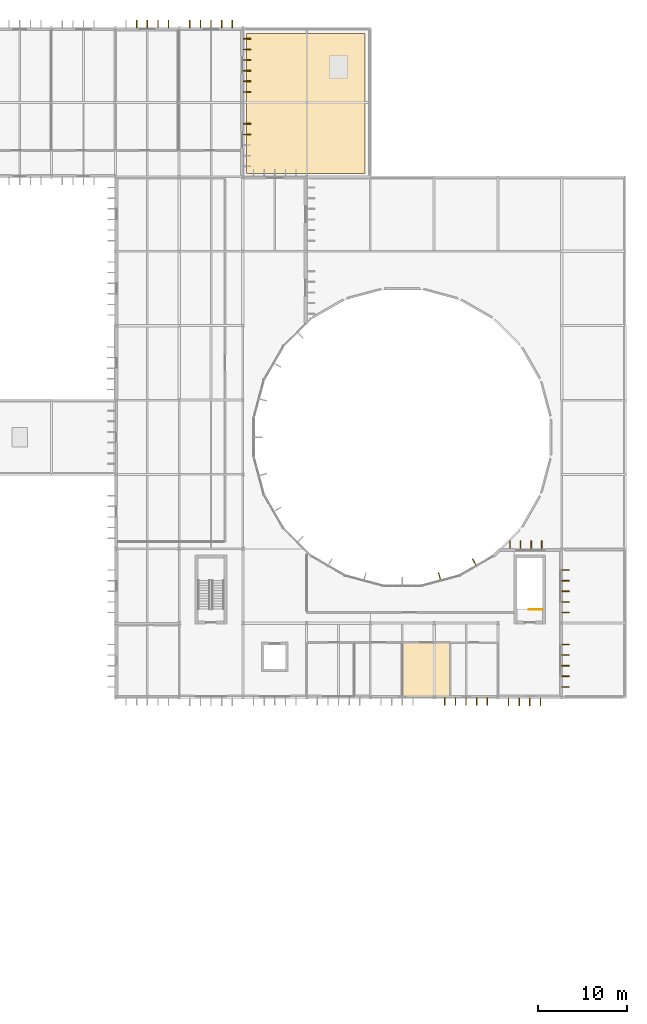
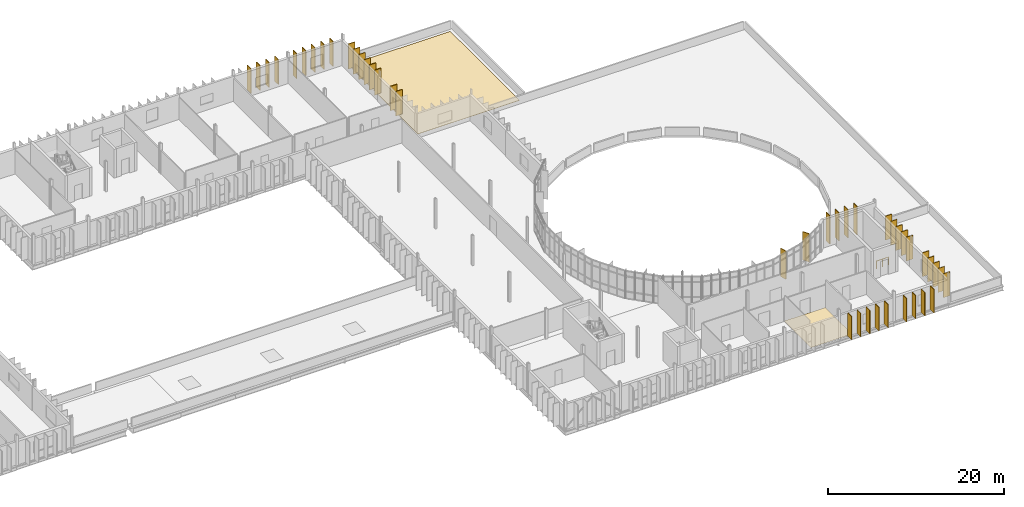
# One storey, part 61 of 61: 42 shading devices, 2 coverings, 1 railing.
"""IFC4 building model written with IfcOpenShell, lengths in metres."""

from ifc_helpers import new_model, si_unit, direction, frame, origin, origin_2d, place, context, subcontext, project, spatial, polyline, rectangle, circle, outline, extrude, material, layer, layer_set, type_object, element, save


model = new_model("IFC4")

# Units and contexts
model_context = context("Model", 3, precision=1e-05, world=origin(), true_north=direction((0.0, 1.0)))
body_context = subcontext(model_context, "Body", "Model", "MODEL_VIEW")
ifc_project = project(units=[si_unit("LENGTHUNIT", "METRE"), si_unit("AREAUNIT", "SQUARE_METRE"), si_unit("VOLUMEUNIT", "CUBIC_METRE"), si_unit("PLANEANGLEUNIT", "RADIAN"), si_unit("MASSUNIT", "GRAM", prefix="KILO")], contexts=[model_context])

# Site, building, storey
site_placement = place(None, origin())
site = spatial("IfcSite", under=ifc_project, at=site_placement, CompositionType="ELEMENT")
building_placement = place(site_placement, origin())
building = spatial("IfcBuilding", under=site, at=building_placement, Name="Qelthora Terrace Specialist Clinic", CompositionType="ELEMENT")
storey_placement = place(building_placement, frame((0.0, 0.0, 13.199951171875)))
storey = spatial("IfcBuildingStorey", under=building, at=storey_placement, Name="L03", CompositionType="ELEMENT", Elevation=13.199951171875)

# Coverings
ifc_material_1 = material(Name="Antimicrobial clinical linoleum flooring", Category="other")
ifc_layer_1 = layer(ifc_material_1, 0.011962890625)
ifc_layer_set_1 = layer_set([ifc_layer_1], Name="Antimicrobial clinical linoleum flooring")
covering_type_1 = type_object("IfcCoveringType", Name="COV-FLR-LINO-12", PredefinedType="FLOORING", material=ifc_layer_set_1)
covering_1_placement = place(storey_placement, origin())
element("IfcCovering", 1, at=covering_1_placement, inside=storey, type_object=covering_type_1, Name="Ophthalmology Slit-Lamp Exam L03-33 resilient linoleum flooring", PredefinedType="FLOORING", context=body_context, shape_type="SweptSolid", body=[
    extrude(outline(polyline([(126.0048828125, 39.800048828125), (131.39990234375, 39.800048828125), (131.39990234375, 33.72998046875), (126.0048828125, 33.72998046875), (126.0048828125, 39.800048828125)])), origin(), (0.0, 0.0, 1.0), 0.011962890625),
])
ifc_material_2 = material(Name="Standing-seam titanium-zinc", Category="metals")
ifc_layer_2 = layer(ifc_material_2, 0.0400390625)
ifc_layer_set_2 = layer_set([ifc_layer_2], Name="Standing-seam titanium-zinc")
covering_type_2 = type_object("IfcCoveringType", Name="COV-ROOF-ZINC", PredefinedType="ROOFING", material=ifc_layer_set_2)
covering_2_placement = place(storey_placement, origin())
element("IfcCovering", 2, at=covering_2_placement, inside=storey, type_object=covering_type_2, Name="Standing-seam zinc roof covering RCOV-L03-04", PredefinedType="ROOFING", context=body_context, shape_type="SweptSolid", body=[
    extrude(outline(polyline([(108.39990234375, 92.800048828125), (121.800048828125, 92.800048828125), (121.800048828125, 108.60009765625), (108.39990234375, 108.60009765625), (108.39990234375, 92.800048828125)])), origin(), (0.0, 0.0, 1.0), 0.0400390625),
])

# Railing
ifc_material_3 = material(Name="Steel S355", Category="steel")
railing_type = type_object("IfcRailingType", Name="RAL-GD-1100-S355", PredefinedType="GUARDRAIL", material=ifc_material_3)
railing_placement = place(storey_placement, frame((141.85009765625, 43.550048828125, 0.0)))
element("IfcRailing", 3, at=railing_placement, inside=storey, type_object=railing_type, Name="L03 ST-06 top well guard 1", PredefinedType="GUARDRAIL", context=body_context, shape_type="SweptSolid", body=[
    extrude(circle(Radius=0.02392578125, at=origin_2d()), frame((0.0, 0.0, 1.076171875), z_axis=(-1.0, 0.0, 0.0), x_axis=(0.0, -1.0, 0.0)), (0.0, 0.0, 1.0), 1.550048828125),
    extrude(circle(Radius=0.02099609375, at=origin_2d()), origin(), (0.0, 0.0, 1.0), 1.052001953125),
    extrude(circle(Radius=0.02099609375, at=origin_2d()), frame((-0.77490234375, 0.0, 0.0)), (0.0, 0.0, 1.0), 1.052001953125),
    extrude(circle(Radius=0.02099609375, at=origin_2d()), frame((-1.550048828125, 0.0, 0.0)), (0.0, 0.0, 1.0), 1.052001953125),
])

# Shading devices
ifc_material_4 = material(Name="Glulam timber GL28h", Category="wood")
shading_device_type = type_object("IfcShadingDeviceType", Name="SHD-FIN-850", PredefinedType="USERDEFINED", material=ifc_material_4)
for number, where, z_axis, x_axis, name in (
    (4, (130.208740234375, 47.292724609375, 0.0), (0.0, 0.0, 1.0), (-0.258819045103, 0.965925826289, 0.0), "Court solar fin FIN-0081"),
    (5, (134.130615234375, 48.917236328125, 0.0), (0.0, 0.0, 1.0), (-0.5, 0.866025403784, 0.0), "Court solar fin FIN-0082"),
):
    element("IfcShadingDevice", number, at=place(storey_placement, frame(where, z_axis=z_axis, x_axis=x_axis)), inside=storey, type_object=shading_device_type, Name=name, ObjectType="FIN", PredefinedType="USERDEFINED", context=body_context, shape_type="SweptSolid", body=[
        extrude(rectangle(XDim=0.85009765625, YDim=0.080078125, at=origin_2d()), origin(), (0.0, 0.0, 1.0), 3.945068359375),
    ])
for number, where, z_axis, x_axis, name in (
    (6, (138.155517578125, 50.864990234375, 0.0), (0.0, 0.0, 1.0), (0.0, 1.0, 0.0), "Exterior solar shading fin FIN-1453"),
    (7, (139.35546875, 50.864990234375, 0.0), (0.0, 0.0, 1.0), (0.0, 1.0, 0.0), "Exterior solar shading fin FIN-1454"),
    (8, (140.555419921875, 50.864990234375, 0.0), (0.0, 0.0, 1.0), (0.0, 1.0, 0.0), "Exterior solar shading fin FIN-1455"),
    (9, (141.755615234375, 50.864990234375, 0.0), (0.0, 0.0, 1.0), (0.0, 1.0, 0.0), "Exterior solar shading fin FIN-1456"),
):
    element("IfcShadingDevice", number, at=place(storey_placement, frame(where, z_axis=z_axis, x_axis=x_axis)), inside=storey, type_object=shading_device_type, Name=name, ObjectType="FIN", PredefinedType="USERDEFINED", context=body_context, shape_type="SweptSolid", body=[
        extrude(rectangle(XDim=0.85009765625, YDim=0.080078125, at=origin_2d()), origin(), (0.0, 0.0, 1.0), 3.93994140625),
    ])
for number, where, z_axis, x_axis, name in (
    (10, (144.455078125, 34.800048828125, 0.0), (0.0, 0.0, 1.0), (1.0, 0.0, 0.0), "Exterior solar shading fin FIN-1457"),
    (11, (144.455078125, 36.0, 0.0), (0.0, 0.0, 1.0), (1.0, 0.0, 0.0), "Exterior solar shading fin FIN-1458"),
    (12, (144.455078125, 37.199951171875, 0.0), (0.0, 0.0, 1.0), (1.0, 0.0, 0.0), "Exterior solar shading fin FIN-1459"),
    (13, (144.455078125, 38.39990234375, 0.0), (0.0, 0.0, 1.0), (1.0, 0.0, 0.0), "Exterior solar shading fin FIN-1460"),
    (14, (144.455078125, 39.60009765625, 0.0), (0.0, 0.0, 1.0), (1.0, 0.0, 0.0), "Exterior solar shading fin FIN-1461"),
    (15, (144.445068359375, 43.199951171875, 0.0), (0.0, 0.0, 1.0), (1.0, 0.0, 0.0), "Exterior solar shading fin FIN-1462"),
    (16, (144.445068359375, 44.39990234375, 0.0), (0.0, 0.0, 1.0), (1.0, 0.0, 0.0), "Exterior solar shading fin FIN-1463"),
    (17, (144.445068359375, 45.60009765625, 0.0), (0.0, 0.0, 1.0), (1.0, 0.0, 0.0), "Exterior solar shading fin FIN-1464"),
    (18, (144.445068359375, 46.800048828125, 0.0), (0.0, 0.0, 1.0), (1.0, 0.0, 0.0), "Exterior solar shading fin FIN-1465"),
    (19, (144.445068359375, 48.0, 0.0), (0.0, 0.0, 1.0), (1.0, 0.0, 0.0), "Exterior solar shading fin FIN-1466"),
):
    element("IfcShadingDevice", number, at=place(storey_placement, frame(where, z_axis=z_axis, x_axis=x_axis)), inside=storey, type_object=shading_device_type, Name=name, ObjectType="FIN", PredefinedType="USERDEFINED", context=body_context, shape_type="SweptSolid", body=[
        extrude(rectangle(XDim=0.85009765625, YDim=0.080078125, at=origin_2d()), origin(), (0.0, 0.0, 1.0), 3.324951171875),
    ])
for number, where, z_axis, x_axis, name in (
    (20, (130.800048828125, 33.1650390625, 0.0), (0.0, 0.0, 1.0), (0.0, -1.0, 0.0), "Exterior solar shading fin FIN-1491"),
    (21, (132.0, 33.1650390625, 0.0), (0.0, 0.0, 1.0), (0.0, -1.0, 0.0), "Exterior solar shading fin FIN-1492"),
    (22, (133.199951171875, 33.1650390625, 0.0), (0.0, 0.0, 1.0), (0.0, -1.0, 0.0), "Exterior solar shading fin FIN-1493"),
    (23, (134.39990234375, 33.1650390625, 0.0), (0.0, 0.0, 1.0), (0.0, -1.0, 0.0), "Exterior solar shading fin FIN-1494"),
    (24, (135.60009765625, 33.1650390625, 0.0), (0.0, 0.0, 1.0), (0.0, -1.0, 0.0), "Exterior solar shading fin FIN-1495"),
):
    element("IfcShadingDevice", number, at=place(storey_placement, frame(where, z_axis=z_axis, x_axis=x_axis)), inside=storey, type_object=shading_device_type, Name=name, ObjectType="FIN", PredefinedType="USERDEFINED", context=body_context, shape_type="SweptSolid", body=[
        extrude(rectangle(XDim=0.85009765625, YDim=0.080078125, at=origin_2d()), origin(), (0.0, 0.0, 1.0), 3.2490234375),
    ])
for number, where, z_axis, x_axis, name in (
    (25, (138.0, 33.10498046875, 0.0), (0.0, 0.0, 1.0), (0.0, -1.0, 0.0), "Exterior solar shading fin FIN-1496"),
    (26, (139.199951171875, 33.10498046875, 0.0), (0.0, 0.0, 1.0), (0.0, -1.0, 0.0), "Exterior solar shading fin FIN-1497"),
    (27, (140.39990234375, 33.10498046875, 0.0), (0.0, 0.0, 1.0), (0.0, -1.0, 0.0), "Exterior solar shading fin FIN-1498"),
    (28, (141.60009765625, 33.10498046875, 0.0), (0.0, 0.0, 1.0), (0.0, -1.0, 0.0), "Exterior solar shading fin FIN-1499"),
):
    element("IfcShadingDevice", number, at=place(storey_placement, frame(where, z_axis=z_axis, x_axis=x_axis)), inside=storey, type_object=shading_device_type, Name=name, ObjectType="FIN", PredefinedType="USERDEFINED", context=body_context, shape_type="SweptSolid", body=[
        extrude(rectangle(XDim=0.85009765625, YDim=0.080078125, at=origin_2d()), origin(), (0.0, 0.0, 1.0), 3.25390625),
    ])
for number, where, z_axis, x_axis, name in (
    (29, (96.0, 109.695068359375, 0.0), (0.0, 0.0, 1.0), (0.0, 1.0, 0.0), "Exterior solar shading fin FIN-1596"),
    (30, (97.199951171875, 109.695068359375, 0.0), (0.0, 0.0, 1.0), (0.0, 1.0, 0.0), "Exterior solar shading fin FIN-1597"),
    (31, (98.39990234375, 109.695068359375, 0.0), (0.0, 0.0, 1.0), (0.0, 1.0, 0.0), "Exterior solar shading fin FIN-1598"),
    (32, (99.60009765625, 109.695068359375, 0.0), (0.0, 0.0, 1.0), (0.0, 1.0, 0.0), "Exterior solar shading fin FIN-1599"),
    (33, (102.0, 109.6650390625, 0.0), (0.0, 0.0, 1.0), (0.0, 1.0, 0.0), "Exterior solar shading fin FIN-1600"),
    (34, (103.199951171875, 109.6650390625, 0.0), (0.0, 0.0, 1.0), (0.0, 1.0, 0.0), "Exterior solar shading fin FIN-1601"),
    (35, (104.39990234375, 109.6650390625, 0.0), (0.0, 0.0, 1.0), (0.0, 1.0, 0.0), "Exterior solar shading fin FIN-1602"),
    (36, (105.60009765625, 109.6650390625, 0.0), (0.0, 0.0, 1.0), (0.0, 1.0, 0.0), "Exterior solar shading fin FIN-1603"),
    (37, (106.800048828125, 109.6650390625, 0.0), (0.0, 0.0, 1.0), (0.0, 1.0, 0.0), "Exterior solar shading fin FIN-1604"),
):
    element("IfcShadingDevice", number, at=place(storey_placement, frame(where, z_axis=z_axis, x_axis=x_axis)), inside=storey, type_object=shading_device_type, Name=name, ObjectType="FIN", PredefinedType="USERDEFINED", context=body_context, shape_type="SweptSolid", body=[
        extrude(rectangle(XDim=0.85009765625, YDim=0.080078125, at=origin_2d()), origin(), (0.0, 0.0, 1.0), 3.48193359375),
    ])
for number, where, z_axis, x_axis, name in (
    (38, (108.455078125, 97.199951171875, 0.0), (0.0, 0.0, 1.0), (1.0, 0.0, 0.0), "Exterior solar shading fin FIN-1608"),
    (39, (108.455078125, 98.39990234375, 0.0), (0.0, 0.0, 1.0), (1.0, 0.0, 0.0), "Exterior solar shading fin FIN-1609"),
):
    element("IfcShadingDevice", number, at=place(storey_placement, frame(where, z_axis=z_axis, x_axis=x_axis)), inside=storey, type_object=shading_device_type, Name=name, ObjectType="FIN", PredefinedType="USERDEFINED", context=body_context, shape_type="SweptSolid", body=[
        extrude(rectangle(XDim=0.85009765625, YDim=0.080078125, at=origin_2d()), origin(), (0.0, 0.0, 1.0), 3.405029296875),
    ])
for number, where, z_axis, x_axis, name in (
    (40, (108.445068359375, 102.0, 0.0), (0.0, 0.0, 1.0), (1.0, 0.0, 0.0), "Exterior solar shading fin FIN-1610"),
    (41, (108.445068359375, 103.199951171875, 0.0), (0.0, 0.0, 1.0), (1.0, 0.0, 0.0), "Exterior solar shading fin FIN-1611"),
    (42, (108.445068359375, 104.39990234375, 0.0), (0.0, 0.0, 1.0), (1.0, 0.0, 0.0), "Exterior solar shading fin FIN-1612"),
    (43, (108.445068359375, 105.60009765625, 0.0), (0.0, 0.0, 1.0), (1.0, 0.0, 0.0), "Exterior solar shading fin FIN-1613"),
    (44, (108.445068359375, 106.800048828125, 0.0), (0.0, 0.0, 1.0), (1.0, 0.0, 0.0), "Exterior solar shading fin FIN-1614"),
    (45, (108.445068359375, 108.0, 0.0), (0.0, 0.0, 1.0), (1.0, 0.0, 0.0), "Exterior solar shading fin FIN-1615"),
):
    element("IfcShadingDevice", number, at=place(storey_placement, frame(where, z_axis=z_axis, x_axis=x_axis)), inside=storey, type_object=shading_device_type, Name=name, ObjectType="FIN", PredefinedType="USERDEFINED", context=body_context, shape_type="SweptSolid", body=[
        extrude(rectangle(XDim=0.85009765625, YDim=0.080078125, at=origin_2d()), origin(), (0.0, 0.0, 1.0), 3.47607421875),
    ])

save(model, "model.ifc")
